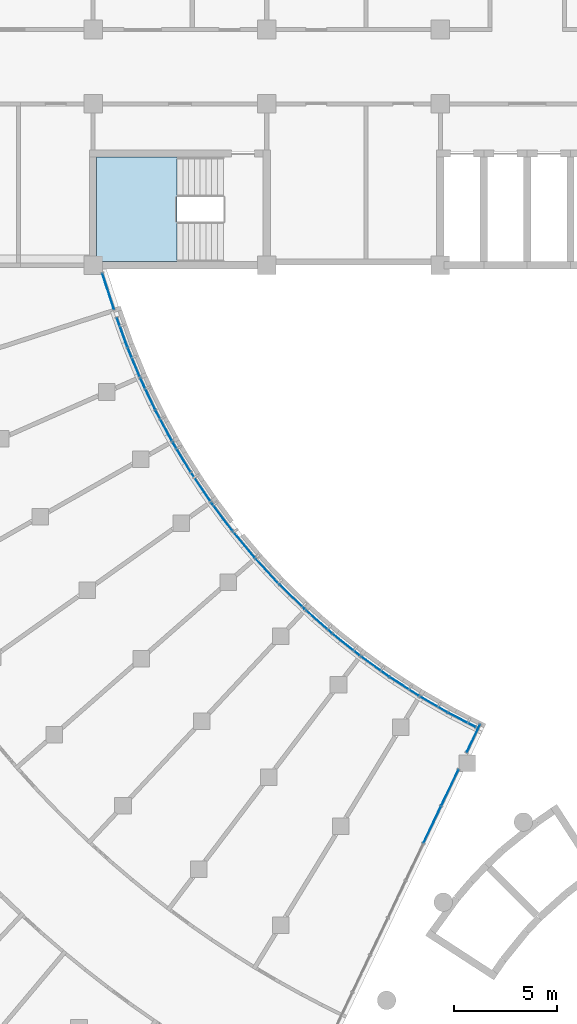
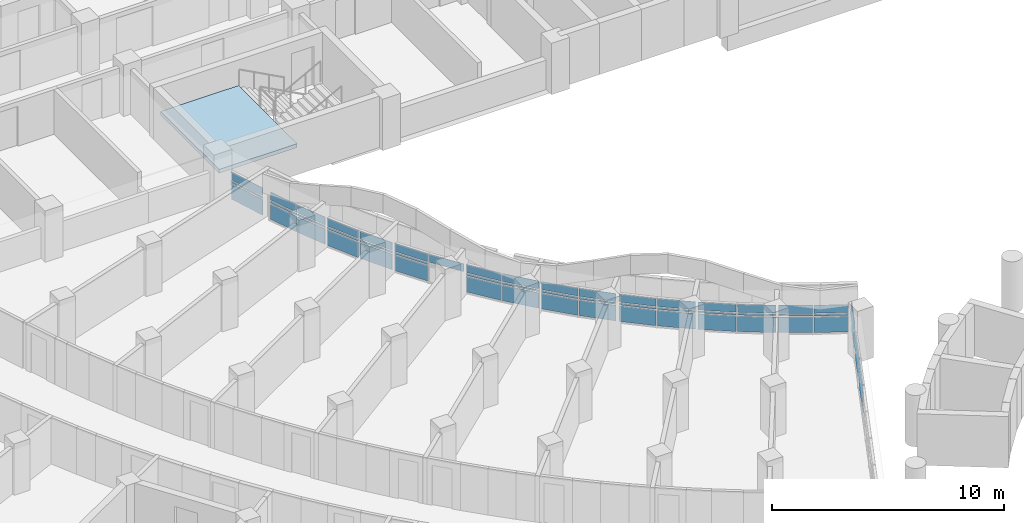
# One storey, part 31 of 89: 58 plates, 1 slab, 12 elements without a shape of their own.
"""IFC4 building model written with IfcOpenShell, lengths in metres."""

from ifc_helpers import new_model, si_unit, direction, frame, origin, origin_2d, place, context, subcontext, project, spatial, polyline, rectangle, outline, extrude, material, layer, layer_set, type_object, element, aggregate, save


model = new_model("IFC4")

# Units and contexts
model_context = context("Model", 3, precision=1e-05, world=origin(), true_north=direction((0.0, 1.0)))
body_context = subcontext(model_context, "Body", "Model", "MODEL_VIEW")
ifc_project = project(units=[si_unit("LENGTHUNIT", "METRE"), si_unit("AREAUNIT", "SQUARE_METRE"), si_unit("VOLUMEUNIT", "CUBIC_METRE"), si_unit("PLANEANGLEUNIT", "RADIAN"), si_unit("MASSUNIT", "GRAM", prefix="KILO")], contexts=[model_context])

# Site, building, storey
site_placement = place(None, origin())
site = spatial("IfcSite", under=ifc_project, at=site_placement, CompositionType="ELEMENT")
building_placement = place(site_placement, origin())
building = spatial("IfcBuilding", under=site, at=building_placement, Name="Bougainvillea Quay General Hospital", CompositionType="ELEMENT")
storey_placement = place(building_placement, frame((0.0, 0.0, 9.89990234375)))
storey = spatial("IfcBuildingStorey", under=building, at=storey_placement, Name="L01M", CompositionType="ELEMENT", Elevation=9.89990234375)

# Curtain wall, plates
ifc_material_1 = material(Name="Aluminium curtain wall system, powder-coated glazed", Category="aluminium")
curtain_wall_type_1 = type_object("IfcCurtainWallType", Name="Unitised curtain wall CW-1997", PredefinedType="NOTDEFINED", material=ifc_material_1)
curtain_wall_1_placement = place(storey_placement, origin())
curtain_wall_1 = element("IfcCurtainWall", 1, at=curtain_wall_1_placement, inside=storey, type_object=curtain_wall_type_1, Name="CW-AE 02", PredefinedType="NOTDEFINED")
ifc_material_2 = material(Name="Insulated aluminium spandrel panel, white", Category="aluminium")
ifc_layer_1 = layer(ifc_material_2, 0.028076171875)
ifc_layer_set_1 = layer_set([ifc_layer_1], Name="Insulated aluminium spandrel panel, white")
plate_type_1 = type_object("IfcPlateType", Name="Insulated spandrel panel white 28", PredefinedType="CURTAIN_PANEL", material=ifc_layer_set_1)
plate_1_placement = place(storey_placement, frame((92.006591796875, 90.533203125, 0.06005859375), z_axis=(0.0, 0.0, 1.0), x_axis=(0.430525444112, 0.902578440897, 0.0)))
plate_1 = element("IfcPlate", 2, at=plate_1_placement, type_object=plate_type_1, Name="CW-AE spandrel panel 9.1", PredefinedType="CURTAIN_PANEL", context=body_context, shape_type="SweptSolid", body=[
    extrude(rectangle(XDim=1.93603515625, YDim=0.028076171875, at=origin_2d()), origin(), (0.0, 0.0, 1.0), 0.81005859375),
])
plate_2_placement = place(storey_placement, frame((92.006591796875, 90.533203125, 1.080078125), z_axis=(0.0, 0.0, 1.0), x_axis=(0.430525444112, 0.902578440897, 0.0)))
plate_2 = element("IfcPlate", 3, at=plate_2_placement, type_object=plate_type_1, Name="CW-AE spandrel panel 9.3", PredefinedType="CURTAIN_PANEL", context=body_context, shape_type="SweptSolid", body=[
    extrude(rectangle(XDim=1.93603515625, YDim=0.028076171875, at=origin_2d()), origin(), (0.0, 0.0, 1.0), 0.409912109375),
])
plate_3_placement = place(storey_placement, frame((92.859375, 92.3212890625, 0.06005859375), z_axis=(0.0, 0.0, 1.0), x_axis=(0.430525444112, 0.902578440897, 0.0)))
plate_3 = element("IfcPlate", 4, at=plate_3_placement, type_object=plate_type_1, Name="CW-AE spandrel panel 10.1", PredefinedType="CURTAIN_PANEL", context=body_context, shape_type="SweptSolid", body=[
    extrude(rectangle(XDim=1.906005859375, YDim=0.028076171875, at=origin_2d()), origin(), (0.0, 0.0, 1.0), 0.81005859375),
])
plate_4_placement = place(storey_placement, frame((92.859375, 92.3212890625, 1.080078125), z_axis=(0.0, 0.0, 1.0), x_axis=(0.430525444112, 0.902578440897, 0.0)))
plate_4 = element("IfcPlate", 5, at=plate_4_placement, type_object=plate_type_1, Name="CW-AE spandrel panel 10.3", PredefinedType="CURTAIN_PANEL", context=body_context, shape_type="SweptSolid", body=[
    extrude(rectangle(XDim=1.906005859375, YDim=0.028076171875, at=origin_2d()), origin(), (0.0, 0.0, 1.0), 0.409912109375),
])

curtain_wall_type_2 = type_object("IfcCurtainWallType", Name="Unitised curtain wall CW-1580", PredefinedType="NOTDEFINED", material=ifc_material_1)
curtain_wall_2_placement = place(storey_placement, origin())
curtain_wall_2 = element("IfcCurtainWall", 6, at=curtain_wall_2_placement, inside=storey, type_object=curtain_wall_type_2, Name="CW-AE 03", PredefinedType="NOTDEFINED")
plate_5_placement = place(storey_placement, frame((93.997314453125, 94.706787109375, 0.06005859375), z_axis=(0.0, 0.0, 1.0), x_axis=(0.430525444112, 0.902578440897, 0.0)))
plate_5 = element("IfcPlate", 7, at=plate_5_placement, type_object=plate_type_1, Name="CW-AE spandrel panel 1.1", PredefinedType="CURTAIN_PANEL", context=body_context, shape_type="SweptSolid", body=[
    extrude(rectangle(XDim=1.459716796875, YDim=0.028076171875, at=origin_2d()), origin(), (0.0, 0.0, 1.0), 0.81005859375),
])
plate_6_placement = place(storey_placement, frame((93.997314453125, 94.706787109375, 1.080078125), z_axis=(0.0, 0.0, 1.0), x_axis=(0.430525444112, 0.902578440897, 0.0)))
plate_6 = element("IfcPlate", 8, at=plate_6_placement, type_object=plate_type_1, Name="CW-AE spandrel panel 1.3", PredefinedType="CURTAIN_PANEL", context=body_context, shape_type="SweptSolid", body=[
    extrude(rectangle(XDim=1.459716796875, YDim=0.028076171875, at=origin_2d()), origin(), (0.0, 0.0, 1.0), 0.409912109375),
])

curtain_wall_type_3 = type_object("IfcCurtainWallType", Name="Unitised curtain wall CW-2100", PredefinedType="NOTDEFINED", material=ifc_material_1)
curtain_wall_3_placement = place(storey_placement, origin())
curtain_wall_3 = element("IfcCurtainWall", 9, at=curtain_wall_3_placement, inside=storey, type_object=curtain_wall_type_3, Name="CW-W01 a03b0", PredefinedType="NOTDEFINED")
plate_7_placement = place(storey_placement, frame((93.4384765625, 95.602294921875, 0.06005859375), z_axis=(0.0, 0.0, 1.0), x_axis=(-0.887958036873, 0.459924477228, 0.0)))
plate_7 = element("IfcPlate", 10, at=plate_7_placement, type_object=plate_type_1, Name="CW-W01 spandrel panel 1.1", PredefinedType="CURTAIN_PANEL", context=body_context, shape_type="SweptSolid", body=[
    extrude(rectangle(XDim=1.475830078125, YDim=0.028076171875, at=origin_2d()), origin(), (0.0, 0.0, 1.0), 0.81005859375),
])
plate_8_placement = place(storey_placement, frame((93.4384765625, 95.602294921875, 1.080078125), z_axis=(0.0, 0.0, 1.0), x_axis=(-0.887958036873, 0.459924477228, 0.0)))
plate_8 = element("IfcPlate", 11, at=plate_8_placement, type_object=plate_type_1, Name="CW-W01 spandrel panel 1.3", PredefinedType="CURTAIN_PANEL", context=body_context, shape_type="SweptSolid", body=[
    extrude(rectangle(XDim=1.475830078125, YDim=0.028076171875, at=origin_2d()), origin(), (0.0, 0.0, 1.0), 0.409912109375),
])
plate_9_placement = place(storey_placement, frame((92.09130859375, 96.339599609375, 0.06005859375), z_axis=(0.0, 0.0, 1.0), x_axis=(-0.866007268476, 0.50003140996, 0.0)))
plate_9 = element("IfcPlate", 12, at=plate_9_placement, type_object=plate_type_1, Name="CW-W01 spandrel panel 2.1", PredefinedType="CURTAIN_PANEL", context=body_context, shape_type="SweptSolid", body=[
    extrude(rectangle(XDim=1.475830078125, YDim=0.028076171875, at=origin_2d()), origin(), (0.0, 0.0, 1.0), 0.81005859375),
])
plate_10_placement = place(storey_placement, frame((92.09130859375, 96.339599609375, 1.080078125), z_axis=(0.0, 0.0, 1.0), x_axis=(-0.866007268476, 0.50003140996, 0.0)))
plate_10 = element("IfcPlate", 13, at=plate_10_placement, type_object=plate_type_1, Name="CW-W01 spandrel panel 2.3", PredefinedType="CURTAIN_PANEL", context=body_context, shape_type="SweptSolid", body=[
    extrude(rectangle(XDim=1.475830078125, YDim=0.028076171875, at=origin_2d()), origin(), (0.0, 0.0, 1.0), 0.409912109375),
])

curtain_wall_4_placement = place(storey_placement, origin())
curtain_wall_4 = element("IfcCurtainWall", 14, at=curtain_wall_4_placement, inside=storey, type_object=curtain_wall_type_3, Name="CW-W02 a03b1", PredefinedType="NOTDEFINED")
plate_11_placement = place(storey_placement, frame((90.657470703125, 97.216796875, 0.06005859375), z_axis=(0.0, 0.0, 1.0), x_axis=(-0.840897357359, 0.541194636325, 0.0)))
plate_11 = element("IfcPlate", 15, at=plate_11_placement, type_object=plate_type_1, Name="CW-W02 spandrel panel 1.1", PredefinedType="CURTAIN_PANEL", context=body_context, shape_type="SweptSolid", body=[
    extrude(rectangle(XDim=1.64697265625, YDim=0.028076171875, at=origin_2d()), origin(), (0.0, 0.0, 1.0), 0.81005859375),
])
plate_12_placement = place(storey_placement, frame((90.657470703125, 97.216796875, 1.080078125), z_axis=(0.0, 0.0, 1.0), x_axis=(-0.840897357359, 0.541194636325, 0.0)))
plate_12 = element("IfcPlate", 16, at=plate_12_placement, type_object=plate_type_1, Name="CW-W02 spandrel panel 1.3", PredefinedType="CURTAIN_PANEL", context=body_context, shape_type="SweptSolid", body=[
    extrude(rectangle(XDim=1.64697265625, YDim=0.028076171875, at=origin_2d()), origin(), (0.0, 0.0, 1.0), 0.409912109375),
])
plate_13_placement = place(storey_placement, frame((89.246337890625, 98.17626953125, 0.06005859375), z_axis=(0.0, 0.0, 1.0), x_axis=(-0.812378779606, 0.583130104218, 0.0)))
plate_13 = element("IfcPlate", 17, at=plate_13_placement, type_object=plate_type_1, Name="CW-W02 spandrel panel 2.1", PredefinedType="CURTAIN_PANEL", context=body_context, shape_type="SweptSolid", body=[
    extrude(rectangle(XDim=1.64697265625, YDim=0.028076171875, at=origin_2d()), origin(), (0.0, 0.0, 1.0), 0.81005859375),
])
plate_14_placement = place(storey_placement, frame((89.246337890625, 98.17626953125, 1.080078125), z_axis=(0.0, 0.0, 1.0), x_axis=(-0.812378779606, 0.583130104218, 0.0)))
plate_14 = element("IfcPlate", 18, at=plate_14_placement, type_object=plate_type_1, Name="CW-W02 spandrel panel 2.3", PredefinedType="CURTAIN_PANEL", context=body_context, shape_type="SweptSolid", body=[
    extrude(rectangle(XDim=1.64697265625, YDim=0.028076171875, at=origin_2d()), origin(), (0.0, 0.0, 1.0), 0.409912109375),
])

curtain_wall_5_placement = place(storey_placement, origin())
curtain_wall_5 = element("IfcCurtainWall", 19, at=curtain_wall_5_placement, inside=storey, type_object=curtain_wall_type_3, Name="CW-W03 a03b2", PredefinedType="NOTDEFINED")
plate_15_placement = place(storey_placement, frame((87.838134765625, 99.242431640625, 0.06005859375), z_axis=(0.0, 0.0, 1.0), x_axis=(-0.781770850765, 0.623565824026, 0.0)))
plate_15 = element("IfcPlate", 20, at=plate_15_placement, type_object=plate_type_1, Name="CW-W03 spandrel panel 1.1", PredefinedType="CURTAIN_PANEL", context=body_context, shape_type="SweptSolid", body=[
    extrude(rectangle(XDim=1.64697265625, YDim=0.028076171875, at=origin_2d()), origin(), (0.0, 0.0, 1.0), 0.81005859375),
])
plate_16_placement = place(storey_placement, frame((87.838134765625, 99.242431640625, 1.080078125), z_axis=(0.0, 0.0, 1.0), x_axis=(-0.781770850765, 0.623565824026, 0.0)))
plate_16 = element("IfcPlate", 21, at=plate_16_placement, type_object=plate_type_1, Name="CW-W03 spandrel panel 1.3", PredefinedType="CURTAIN_PANEL", context=body_context, shape_type="SweptSolid", body=[
    extrude(rectangle(XDim=1.64697265625, YDim=0.028076171875, at=origin_2d()), origin(), (0.0, 0.0, 1.0), 0.409912109375),
])
plate_17_placement = place(storey_placement, frame((86.531494140625, 100.33984375, 0.06005859375), z_axis=(0.0, 0.0, 1.0), x_axis=(-0.749152291145, 0.662397799417, 0.0)))
plate_17 = element("IfcPlate", 22, at=plate_17_placement, type_object=plate_type_1, Name="CW-W03 spandrel panel 2.1", PredefinedType="CURTAIN_PANEL", context=body_context, shape_type="SweptSolid", body=[
    extrude(rectangle(XDim=1.64697265625, YDim=0.028076171875, at=origin_2d()), origin(), (0.0, 0.0, 1.0), 0.81005859375),
])
plate_18_placement = place(storey_placement, frame((86.531494140625, 100.33984375, 1.080078125), z_axis=(0.0, 0.0, 1.0), x_axis=(-0.749152291145, 0.662397799417, 0.0)))
plate_18 = element("IfcPlate", 23, at=plate_18_placement, type_object=plate_type_1, Name="CW-W03 spandrel panel 2.3", PredefinedType="CURTAIN_PANEL", context=body_context, shape_type="SweptSolid", body=[
    extrude(rectangle(XDim=1.64697265625, YDim=0.028076171875, at=origin_2d()), origin(), (0.0, 0.0, 1.0), 0.409912109375),
])

curtain_wall_6_placement = place(storey_placement, origin())
curtain_wall_6 = element("IfcCurtainWall", 24, at=curtain_wall_6_placement, inside=storey, type_object=curtain_wall_type_3, Name="CW-W04 a03b3", PredefinedType="NOTDEFINED")
plate_19_placement = place(storey_placement, frame((85.23828125, 101.543212890625, 0.06005859375), z_axis=(0.0, 0.0, 1.0), x_axis=(-0.714606992183, 0.699526158712, 0.0)))
plate_19 = element("IfcPlate", 25, at=plate_19_placement, type_object=plate_type_1, Name="CW-W04 spandrel panel 1.1", PredefinedType="CURTAIN_PANEL", context=body_context, shape_type="SweptSolid", body=[
    extrude(rectangle(XDim=1.64697265625, YDim=0.028076171875, at=origin_2d()), origin(), (0.0, 0.0, 1.0), 0.81005859375),
])
plate_20_placement = place(storey_placement, frame((85.23828125, 101.543212890625, 1.080078125), z_axis=(0.0, 0.0, 1.0), x_axis=(-0.714606992183, 0.699526158712, 0.0)))
plate_20 = element("IfcPlate", 26, at=plate_20_placement, type_object=plate_type_1, Name="CW-W04 spandrel panel 1.3", PredefinedType="CURTAIN_PANEL", context=body_context, shape_type="SweptSolid", body=[
    extrude(rectangle(XDim=1.64697265625, YDim=0.028076171875, at=origin_2d()), origin(), (0.0, 0.0, 1.0), 0.409912109375),
])
plate_21_placement = place(storey_placement, frame((84.049560546875, 102.767333984375, 0.06005859375), z_axis=(0.0, 0.0, 1.0), x_axis=(-0.678223800683, 0.734855411756, 0.0)))
plate_21 = element("IfcPlate", 27, at=plate_21_placement, type_object=plate_type_1, Name="CW-W04 spandrel panel 2.1", PredefinedType="CURTAIN_PANEL", context=body_context, shape_type="SweptSolid", body=[
    extrude(rectangle(XDim=1.64697265625, YDim=0.028076171875, at=origin_2d()), origin(), (0.0, 0.0, 1.0), 0.81005859375),
])
plate_22_placement = place(storey_placement, frame((84.049560546875, 102.767333984375, 1.080078125), z_axis=(0.0, 0.0, 1.0), x_axis=(-0.678223800683, 0.734855411756, 0.0)))
plate_22 = element("IfcPlate", 28, at=plate_22_placement, type_object=plate_type_1, Name="CW-W04 spandrel panel 2.3", PredefinedType="CURTAIN_PANEL", context=body_context, shape_type="SweptSolid", body=[
    extrude(rectangle(XDim=1.64697265625, YDim=0.028076171875, at=origin_2d()), origin(), (0.0, 0.0, 1.0), 0.409912109375),
])

curtain_wall_7_placement = place(storey_placement, origin())
curtain_wall_7 = element("IfcCurtainWall", 29, at=curtain_wall_7_placement, inside=storey, type_object=curtain_wall_type_3, Name="CW-W05 a03b4", PredefinedType="NOTDEFINED")
plate_23_placement = place(storey_placement, frame((82.884765625, 104.09521484375, 0.06005859375), z_axis=(0.0, 0.0, 1.0), x_axis=(-0.64009629031, 0.768294695498, 0.0)))
plate_23 = element("IfcPlate", 30, at=plate_23_placement, type_object=plate_type_1, Name="CW-W05 spandrel panel 1.1", PredefinedType="CURTAIN_PANEL", context=body_context, shape_type="SweptSolid", body=[
    extrude(rectangle(XDim=1.64697265625, YDim=0.028076171875, at=origin_2d()), origin(), (0.0, 0.0, 1.0), 0.81005859375),
])
plate_24_placement = place(storey_placement, frame((82.884765625, 104.09521484375, 1.080078125), z_axis=(0.0, 0.0, 1.0), x_axis=(-0.64009629031, 0.768294695498, 0.0)))
plate_24 = element("IfcPlate", 31, at=plate_24_placement, type_object=plate_type_1, Name="CW-W05 spandrel panel 1.3", PredefinedType="CURTAIN_PANEL", context=body_context, shape_type="SweptSolid", body=[
    extrude(rectangle(XDim=1.64697265625, YDim=0.028076171875, at=origin_2d()), origin(), (0.0, 0.0, 1.0), 0.409912109375),
])
plate_25_placement = place(storey_placement, frame((81.826171875, 105.43359375, 0.06005859375), z_axis=(0.0, 0.0, 1.0), x_axis=(-0.600322520933, 0.799758007688, 0.0)))
plate_25 = element("IfcPlate", 32, at=plate_25_placement, type_object=plate_type_1, Name="CW-W05 spandrel panel 2.1", PredefinedType="CURTAIN_PANEL", context=body_context, shape_type="SweptSolid", body=[
    extrude(rectangle(XDim=1.64697265625, YDim=0.028076171875, at=origin_2d()), origin(), (0.0, 0.0, 1.0), 0.81005859375),
])
plate_26_placement = place(storey_placement, frame((81.826171875, 105.43359375, 1.080078125), z_axis=(0.0, 0.0, 1.0), x_axis=(-0.600322520933, 0.799758007688, 0.0)))
plate_26 = element("IfcPlate", 33, at=plate_26_placement, type_object=plate_type_1, Name="CW-W05 spandrel panel 2.3", PredefinedType="CURTAIN_PANEL", context=body_context, shape_type="SweptSolid", body=[
    extrude(rectangle(XDim=1.64697265625, YDim=0.028076171875, at=origin_2d()), origin(), (0.0, 0.0, 1.0), 0.409912109375),
])

curtain_wall_8_placement = place(storey_placement, origin())
curtain_wall_8 = element("IfcCurtainWall", 34, at=curtain_wall_8_placement, inside=storey, type_object=curtain_wall_type_3, Name="CW-W06 a03b5", PredefinedType="NOTDEFINED")
plate_27_placement = place(storey_placement, frame((80.802001953125, 106.872802734375, 1.080078125), z_axis=(0.0, 0.0, 1.0), x_axis=(-0.55900478642, 0.82916442806, 0.0)))
plate_27 = element("IfcPlate", 35, at=plate_27_placement, type_object=plate_type_1, Name="CW-W06 spandrel panel 1.3", PredefinedType="CURTAIN_PANEL", context=body_context, shape_type="SweptSolid", body=[
    extrude(rectangle(XDim=1.64697265625, YDim=0.028076171875, at=origin_2d()), origin(), (0.0, 0.0, 1.0), 0.409912109375),
])
plate_28_placement = place(storey_placement, frame((79.88427734375, 108.311279296875, 0.06005859375), z_axis=(0.0, 0.0, 1.0), x_axis=(-0.516249351553, 0.856438326455, 0.0)))
plate_28 = element("IfcPlate", 36, at=plate_28_placement, type_object=plate_type_1, Name="CW-W06 spandrel panel 2.1", PredefinedType="CURTAIN_PANEL", context=body_context, shape_type="SweptSolid", body=[
    extrude(rectangle(XDim=1.64697265625, YDim=0.028076171875, at=origin_2d()), origin(), (0.0, 0.0, 1.0), 0.81005859375),
])
plate_29_placement = place(storey_placement, frame((79.88427734375, 108.311279296875, 1.080078125), z_axis=(0.0, 0.0, 1.0), x_axis=(-0.516249351553, 0.856438326455, 0.0)))
plate_29 = element("IfcPlate", 37, at=plate_29_placement, type_object=plate_type_1, Name="CW-W06 spandrel panel 2.3", PredefinedType="CURTAIN_PANEL", context=body_context, shape_type="SweptSolid", body=[
    extrude(rectangle(XDim=1.64697265625, YDim=0.028076171875, at=origin_2d()), origin(), (0.0, 0.0, 1.0), 0.409912109375),
])

curtain_wall_9_placement = place(storey_placement, origin())
curtain_wall_9 = element("IfcCurtainWall", 38, at=curtain_wall_9_placement, inside=storey, type_object=curtain_wall_type_3, Name="CW-W07 a03b6", PredefinedType="NOTDEFINED")
plate_30_placement = place(storey_placement, frame((79.010986328125, 109.8466796875, 0.06005859375), z_axis=(0.0, 0.0, 1.0), x_axis=(-0.472166178724, 0.881509557333, 0.0)))
plate_30 = element("IfcPlate", 39, at=plate_30_placement, type_object=plate_type_1, Name="CW-W07 spandrel panel 1.1", PredefinedType="CURTAIN_PANEL", context=body_context, shape_type="SweptSolid", body=[
    extrude(rectangle(XDim=1.64697265625, YDim=0.028076171875, at=origin_2d()), origin(), (0.0, 0.0, 1.0), 0.81005859375),
])
plate_31_placement = place(storey_placement, frame((79.010986328125, 109.8466796875, 1.080078125), z_axis=(0.0, 0.0, 1.0), x_axis=(-0.472166178724, 0.881509557333, 0.0)))
plate_31 = element("IfcPlate", 40, at=plate_31_placement, type_object=plate_type_1, Name="CW-W07 spandrel panel 1.3", PredefinedType="CURTAIN_PANEL", context=body_context, shape_type="SweptSolid", body=[
    extrude(rectangle(XDim=1.64697265625, YDim=0.028076171875, at=origin_2d()), origin(), (0.0, 0.0, 1.0), 0.409912109375),
])
plate_32_placement = place(storey_placement, frame((78.24365234375, 111.370849609375, 0.06005859375), z_axis=(0.0, 0.0, 1.0), x_axis=(-0.426868645126, 0.904313640176, 0.0)))
plate_32 = element("IfcPlate", 41, at=plate_32_placement, type_object=plate_type_1, Name="CW-W07 spandrel panel 2.1", PredefinedType="CURTAIN_PANEL", context=body_context, shape_type="SweptSolid", body=[
    extrude(rectangle(XDim=1.64697265625, YDim=0.028076171875, at=origin_2d()), origin(), (0.0, 0.0, 1.0), 0.81005859375),
])
plate_33_placement = place(storey_placement, frame((78.24365234375, 111.370849609375, 1.080078125), z_axis=(0.0, 0.0, 1.0), x_axis=(-0.426868645126, 0.904313640176, 0.0)))
plate_33 = element("IfcPlate", 42, at=plate_33_placement, type_object=plate_type_1, Name="CW-W07 spandrel panel 2.3", PredefinedType="CURTAIN_PANEL", context=body_context, shape_type="SweptSolid", body=[
    extrude(rectangle(XDim=1.64697265625, YDim=0.028076171875, at=origin_2d()), origin(), (0.0, 0.0, 1.0), 0.409912109375),
])

curtain_wall_10_placement = place(storey_placement, origin())
curtain_wall_10 = element("IfcCurtainWall", 43, at=curtain_wall_10_placement, inside=storey, type_object=curtain_wall_type_3, Name="CW-W08 a03b7", PredefinedType="NOTDEFINED")
plate_34_placement = place(storey_placement, frame((77.56103515625, 112.907470703125, 0.06005859375), z_axis=(0.0, 0.0, 1.0), x_axis=(-0.382770483282, 0.923843470036, 0.0)))
plate_34 = element("IfcPlate", 44, at=plate_34_placement, type_object=plate_type_1, Name="CW-W08 spandrel panel 1.1", PredefinedType="CURTAIN_PANEL", context=body_context, shape_type="SweptSolid", body=[
    extrude(rectangle(XDim=1.476806640625, YDim=0.028076171875, at=origin_2d()), origin(), (0.0, 0.0, 1.0), 0.81005859375),
])
plate_35_placement = place(storey_placement, frame((77.56103515625, 112.907470703125, 1.080078125), z_axis=(0.0, 0.0, 1.0), x_axis=(-0.382770483282, 0.923843470036, 0.0)))
plate_35 = element("IfcPlate", 45, at=plate_35_placement, type_object=plate_type_1, Name="CW-W08 spandrel panel 1.3", PredefinedType="CURTAIN_PANEL", context=body_context, shape_type="SweptSolid", body=[
    extrude(rectangle(XDim=1.476806640625, YDim=0.028076171875, at=origin_2d()), origin(), (0.0, 0.0, 1.0), 0.409912109375),
])
plate_36_placement = place(storey_placement, frame((77.005615234375, 114.33984375, 0.06005859375), z_axis=(0.0, 0.0, 1.0), x_axis=(-0.340120177444, 0.940381978185, 0.0)))
plate_36 = element("IfcPlate", 46, at=plate_36_placement, type_object=plate_type_1, Name="CW-W08 spandrel panel 2.1", PredefinedType="CURTAIN_PANEL", context=body_context, shape_type="SweptSolid", body=[
    extrude(rectangle(XDim=1.476806640625, YDim=0.028076171875, at=origin_2d()), origin(), (0.0, 0.0, 1.0), 0.81005859375),
])
plate_37_placement = place(storey_placement, frame((77.005615234375, 114.33984375, 1.080078125), z_axis=(0.0, 0.0, 1.0), x_axis=(-0.340120177444, 0.940381978185, 0.0)))
plate_37 = element("IfcPlate", 47, at=plate_37_placement, type_object=plate_type_1, Name="CW-W08 spandrel panel 2.3", PredefinedType="CURTAIN_PANEL", context=body_context, shape_type="SweptSolid", body=[
    extrude(rectangle(XDim=1.476806640625, YDim=0.028076171875, at=origin_2d()), origin(), (0.0, 0.0, 1.0), 0.409912109375),
])

curtain_wall_type_4 = type_object("IfcCurtainWallType", Name="Unitised curtain wall CW-1925", PredefinedType="NOTDEFINED", material=ifc_material_1)
curtain_wall_11_placement = place(storey_placement, origin())
curtain_wall_11 = element("IfcCurtainWall", 48, at=curtain_wall_11_placement, inside=storey, type_object=curtain_wall_type_4, Name="CW-AE 00", PredefinedType="NOTDEFINED")
plate_38_placement = place(storey_placement, frame((76.328857421875, 116.330810546875, 0.06005859375), z_axis=(0.0, 0.0, 1.0), x_axis=(-0.308970506674, 0.951071619809, 0.0)))
plate_38 = element("IfcPlate", 49, at=plate_38_placement, type_object=plate_type_1, Name="CW-AE spandrel panel 1.1", PredefinedType="CURTAIN_PANEL", context=body_context, shape_type="SweptSolid", body=[
    extrude(rectangle(XDim=1.804443359375, YDim=0.028076171875, at=origin_2d()), origin(), (0.0, 0.0, 1.0), 0.81005859375),
])
plate_39_placement = place(storey_placement, frame((76.328857421875, 116.330810546875, 1.080078125), z_axis=(0.0, 0.0, 1.0), x_axis=(-0.308970506674, 0.951071619809, 0.0)))
plate_39 = element("IfcPlate", 50, at=plate_39_placement, type_object=plate_type_1, Name="CW-AE spandrel panel 1.3", PredefinedType="CURTAIN_PANEL", context=body_context, shape_type="SweptSolid", body=[
    extrude(rectangle(XDim=1.804443359375, YDim=0.028076171875, at=origin_2d()), origin(), (0.0, 0.0, 1.0), 0.409912109375),
])

# Plate
ifc_material_3 = material(Name="Low-e laminated glass, solar control", Category="glass")
ifc_layer_2 = layer(ifc_material_3, 0.028076171875)
ifc_layer_set_2 = layer_set([ifc_layer_2], Name="Low-e laminated glass, solar control")
plate_type_2 = type_object("IfcPlateType", Name="Low-e laminated vision glass 28", PredefinedType="CURTAIN_PANEL", material=ifc_layer_set_2)
plate_40_placement = place(storey_placement, frame((92.006591796875, 90.533203125, 0.93017578125), z_axis=(0.0, 0.0, 1.0), x_axis=(0.430525444112, 0.902578440897, 0.0)))
plate_40 = element("IfcPlate", 51, at=plate_40_placement, type_object=plate_type_2, Name="CW-AE vision glass panel 9.2", PredefinedType="CURTAIN_PANEL", context=body_context, shape_type="SweptSolid", body=[
    extrude(rectangle(XDim=1.93603515625, YDim=0.028076171875, at=origin_2d()), origin(), (0.0, 0.0, 1.0), 0.090087890625),
])

plate_41_placement = place(storey_placement, frame((92.859375, 92.3212890625, 0.93017578125), z_axis=(0.0, 0.0, 1.0), x_axis=(0.430525444112, 0.902578440897, 0.0)))
plate_41 = element("IfcPlate", 52, at=plate_41_placement, type_object=plate_type_2, Name="CW-AE vision glass panel 10.2", PredefinedType="CURTAIN_PANEL", context=body_context, shape_type="SweptSolid", body=[
    extrude(rectangle(XDim=1.906005859375, YDim=0.028076171875, at=origin_2d()), origin(), (0.0, 0.0, 1.0), 0.090087890625),
])

aggregate(curtain_wall_1, [plate_1, plate_40, plate_2, plate_3, plate_41, plate_4])

plate_42_placement = place(storey_placement, frame((93.997314453125, 94.706787109375, 0.93017578125), z_axis=(0.0, 0.0, 1.0), x_axis=(0.430525444112, 0.902578440897, 0.0)))
plate_42 = element("IfcPlate", 53, at=plate_42_placement, type_object=plate_type_2, Name="CW-AE vision glass panel 1.2", PredefinedType="CURTAIN_PANEL", context=body_context, shape_type="SweptSolid", body=[
    extrude(rectangle(XDim=1.459716796875, YDim=0.028076171875, at=origin_2d()), origin(), (0.0, 0.0, 1.0), 0.090087890625),
])

aggregate(curtain_wall_2, [plate_5, plate_42, plate_6])

plate_43_placement = place(storey_placement, frame((93.4384765625, 95.602294921875, 0.93017578125), z_axis=(0.0, 0.0, 1.0), x_axis=(-0.887958036873, 0.459924477228, 0.0)))
plate_43 = element("IfcPlate", 54, at=plate_43_placement, type_object=plate_type_2, Name="CW-W01 vision glass panel 1.2", PredefinedType="CURTAIN_PANEL", context=body_context, shape_type="SweptSolid", body=[
    extrude(rectangle(XDim=1.475830078125, YDim=0.028076171875, at=origin_2d()), origin(), (0.0, 0.0, 1.0), 0.090087890625),
])

plate_44_placement = place(storey_placement, frame((92.09130859375, 96.339599609375, 0.93017578125), z_axis=(0.0, 0.0, 1.0), x_axis=(-0.866007268476, 0.50003140996, 0.0)))
plate_44 = element("IfcPlate", 55, at=plate_44_placement, type_object=plate_type_2, Name="CW-W01 vision glass panel 2.2", PredefinedType="CURTAIN_PANEL", context=body_context, shape_type="SweptSolid", body=[
    extrude(rectangle(XDim=1.475830078125, YDim=0.028076171875, at=origin_2d()), origin(), (0.0, 0.0, 1.0), 0.090087890625),
])

aggregate(curtain_wall_3, [plate_7, plate_43, plate_8, plate_9, plate_44, plate_10])

plate_45_placement = place(storey_placement, frame((90.657470703125, 97.216796875, 0.93017578125), z_axis=(0.0, 0.0, 1.0), x_axis=(-0.840897357359, 0.541194636325, 0.0)))
plate_45 = element("IfcPlate", 56, at=plate_45_placement, type_object=plate_type_2, Name="CW-W02 vision glass panel 1.2", PredefinedType="CURTAIN_PANEL", context=body_context, shape_type="SweptSolid", body=[
    extrude(rectangle(XDim=1.64697265625, YDim=0.028076171875, at=origin_2d()), origin(), (0.0, 0.0, 1.0), 0.090087890625),
])

plate_46_placement = place(storey_placement, frame((89.246337890625, 98.17626953125, 0.93017578125), z_axis=(0.0, 0.0, 1.0), x_axis=(-0.812378779606, 0.583130104218, 0.0)))
plate_46 = element("IfcPlate", 57, at=plate_46_placement, type_object=plate_type_2, Name="CW-W02 vision glass panel 2.2", PredefinedType="CURTAIN_PANEL", context=body_context, shape_type="SweptSolid", body=[
    extrude(rectangle(XDim=1.64697265625, YDim=0.028076171875, at=origin_2d()), origin(), (0.0, 0.0, 1.0), 0.090087890625),
])

aggregate(curtain_wall_4, [plate_11, plate_45, plate_12, plate_13, plate_46, plate_14])

plate_47_placement = place(storey_placement, frame((87.838134765625, 99.242431640625, 0.93017578125), z_axis=(0.0, 0.0, 1.0), x_axis=(-0.781770850765, 0.623565824026, 0.0)))
plate_47 = element("IfcPlate", 58, at=plate_47_placement, type_object=plate_type_2, Name="CW-W03 vision glass panel 1.2", PredefinedType="CURTAIN_PANEL", context=body_context, shape_type="SweptSolid", body=[
    extrude(rectangle(XDim=1.64697265625, YDim=0.028076171875, at=origin_2d()), origin(), (0.0, 0.0, 1.0), 0.090087890625),
])

plate_48_placement = place(storey_placement, frame((86.531494140625, 100.33984375, 0.93017578125), z_axis=(0.0, 0.0, 1.0), x_axis=(-0.749152291145, 0.662397799417, 0.0)))
plate_48 = element("IfcPlate", 59, at=plate_48_placement, type_object=plate_type_2, Name="CW-W03 vision glass panel 2.2", PredefinedType="CURTAIN_PANEL", context=body_context, shape_type="SweptSolid", body=[
    extrude(rectangle(XDim=1.64697265625, YDim=0.028076171875, at=origin_2d()), origin(), (0.0, 0.0, 1.0), 0.090087890625),
])

aggregate(curtain_wall_5, [plate_15, plate_47, plate_16, plate_17, plate_48, plate_18])

plate_49_placement = place(storey_placement, frame((85.23828125, 101.543212890625, 0.93017578125), z_axis=(0.0, 0.0, 1.0), x_axis=(-0.714606992183, 0.699526158712, 0.0)))
plate_49 = element("IfcPlate", 60, at=plate_49_placement, type_object=plate_type_2, Name="CW-W04 vision glass panel 1.2", PredefinedType="CURTAIN_PANEL", context=body_context, shape_type="SweptSolid", body=[
    extrude(rectangle(XDim=1.64697265625, YDim=0.028076171875, at=origin_2d()), origin(), (0.0, 0.0, 1.0), 0.090087890625),
])

plate_50_placement = place(storey_placement, frame((84.049560546875, 102.767333984375, 0.93017578125), z_axis=(0.0, 0.0, 1.0), x_axis=(-0.678223800683, 0.734855411756, 0.0)))
plate_50 = element("IfcPlate", 61, at=plate_50_placement, type_object=plate_type_2, Name="CW-W04 vision glass panel 2.2", PredefinedType="CURTAIN_PANEL", context=body_context, shape_type="SweptSolid", body=[
    extrude(rectangle(XDim=1.64697265625, YDim=0.028076171875, at=origin_2d()), origin(), (0.0, 0.0, 1.0), 0.090087890625),
])

aggregate(curtain_wall_6, [plate_19, plate_49, plate_20, plate_21, plate_50, plate_22])

plate_51_placement = place(storey_placement, frame((82.884765625, 104.09521484375, 0.93017578125), z_axis=(0.0, 0.0, 1.0), x_axis=(-0.64009629031, 0.768294695498, 0.0)))
plate_51 = element("IfcPlate", 62, at=plate_51_placement, type_object=plate_type_2, Name="CW-W05 vision glass panel 1.2", PredefinedType="CURTAIN_PANEL", context=body_context, shape_type="SweptSolid", body=[
    extrude(rectangle(XDim=1.64697265625, YDim=0.028076171875, at=origin_2d()), origin(), (0.0, 0.0, 1.0), 0.090087890625),
])

plate_52_placement = place(storey_placement, frame((81.826171875, 105.43359375, 0.93017578125), z_axis=(0.0, 0.0, 1.0), x_axis=(-0.600322520933, 0.799758007688, 0.0)))
plate_52 = element("IfcPlate", 63, at=plate_52_placement, type_object=plate_type_2, Name="CW-W05 vision glass panel 2.2", PredefinedType="CURTAIN_PANEL", context=body_context, shape_type="SweptSolid", body=[
    extrude(rectangle(XDim=1.64697265625, YDim=0.028076171875, at=origin_2d()), origin(), (0.0, 0.0, 1.0), 0.090087890625),
])

aggregate(curtain_wall_7, [plate_23, plate_51, plate_24, plate_25, plate_52, plate_26])

plate_53_placement = place(storey_placement, frame((79.88427734375, 108.311279296875, 0.93017578125), z_axis=(0.0, 0.0, 1.0), x_axis=(-0.516249351553, 0.856438326455, 0.0)))
plate_53 = element("IfcPlate", 64, at=plate_53_placement, type_object=plate_type_2, Name="CW-W06 vision glass panel 2.2", PredefinedType="CURTAIN_PANEL", context=body_context, shape_type="SweptSolid", body=[
    extrude(rectangle(XDim=1.64697265625, YDim=0.028076171875, at=origin_2d()), origin(), (0.0, 0.0, 1.0), 0.090087890625),
])

aggregate(curtain_wall_8, [plate_27, plate_28, plate_53, plate_29])

plate_54_placement = place(storey_placement, frame((79.010986328125, 109.8466796875, 0.93017578125), z_axis=(0.0, 0.0, 1.0), x_axis=(-0.472166178724, 0.881509557333, 0.0)))
plate_54 = element("IfcPlate", 65, at=plate_54_placement, type_object=plate_type_2, Name="CW-W07 vision glass panel 1.2", PredefinedType="CURTAIN_PANEL", context=body_context, shape_type="SweptSolid", body=[
    extrude(rectangle(XDim=1.64697265625, YDim=0.028076171875, at=origin_2d()), origin(), (0.0, 0.0, 1.0), 0.090087890625),
])

plate_55_placement = place(storey_placement, frame((78.24365234375, 111.370849609375, 0.93017578125), z_axis=(0.0, 0.0, 1.0), x_axis=(-0.426868645126, 0.904313640176, 0.0)))
plate_55 = element("IfcPlate", 66, at=plate_55_placement, type_object=plate_type_2, Name="CW-W07 vision glass panel 2.2", PredefinedType="CURTAIN_PANEL", context=body_context, shape_type="SweptSolid", body=[
    extrude(rectangle(XDim=1.64697265625, YDim=0.028076171875, at=origin_2d()), origin(), (0.0, 0.0, 1.0), 0.090087890625),
])

aggregate(curtain_wall_9, [plate_30, plate_54, plate_31, plate_32, plate_55, plate_33])

plate_56_placement = place(storey_placement, frame((77.56103515625, 112.907470703125, 0.93017578125), z_axis=(0.0, 0.0, 1.0), x_axis=(-0.382770483282, 0.923843470036, 0.0)))
plate_56 = element("IfcPlate", 67, at=plate_56_placement, type_object=plate_type_2, Name="CW-W08 vision glass panel 1.2", PredefinedType="CURTAIN_PANEL", context=body_context, shape_type="SweptSolid", body=[
    extrude(rectangle(XDim=1.476806640625, YDim=0.028076171875, at=origin_2d()), origin(), (0.0, 0.0, 1.0), 0.090087890625),
])

plate_57_placement = place(storey_placement, frame((77.005615234375, 114.33984375, 0.93017578125), z_axis=(0.0, 0.0, 1.0), x_axis=(-0.340120177444, 0.940381978185, 0.0)))
plate_57 = element("IfcPlate", 68, at=plate_57_placement, type_object=plate_type_2, Name="CW-W08 vision glass panel 2.2", PredefinedType="CURTAIN_PANEL", context=body_context, shape_type="SweptSolid", body=[
    extrude(rectangle(XDim=1.476806640625, YDim=0.028076171875, at=origin_2d()), origin(), (0.0, 0.0, 1.0), 0.090087890625),
])

aggregate(curtain_wall_10, [plate_34, plate_56, plate_35, plate_36, plate_57, plate_37])

plate_58_placement = place(storey_placement, frame((76.328857421875, 116.330810546875, 0.93017578125), z_axis=(0.0, 0.0, 1.0), x_axis=(-0.308970506674, 0.951071619809, 0.0)))
plate_58 = element("IfcPlate", 69, at=plate_58_placement, type_object=plate_type_2, Name="CW-AE vision glass panel 1.2", PredefinedType="CURTAIN_PANEL", context=body_context, shape_type="SweptSolid", body=[
    extrude(rectangle(XDim=1.804443359375, YDim=0.028076171875, at=origin_2d()), origin(), (0.0, 0.0, 1.0), 0.090087890625),
])

aggregate(curtain_wall_11, [plate_38, plate_58, plate_39])

# Stair, slab
ifc_material_4 = material(Name="Concrete C35", Category="concrete")
stair_type = type_object("IfcStairType", Name="Stair half-turn 1925 wide", PredefinedType="HALF_TURN_STAIR", material=ifc_material_4)
stair_placement = place(storey_placement, origin())
stair = element("IfcStair", 70, at=stair_placement, inside=storey, type_object=stair_type, Name="L01M stair ST-B2", PredefinedType="HALF_TURN_STAIR")
ifc_layer_3 = layer(ifc_material_4, 0.199951171875)
ifc_layer_set_3 = layer_set([ifc_layer_3], Name="Concrete C35")
slab_type = type_object("IfcSlabType", Name="Stair landing 200", PredefinedType="LANDING", material=ifc_layer_set_3)
slab_placement = place(storey_placement, frame((0.0, 0.0, 1.150146484375)))
slab = element("IfcSlab", 71, at=slab_placement, type_object=slab_type, Name="ST-B2 landing 1", PredefinedType="LANDING", context=body_context, shape_type="SweptSolid", body=[
    extrude(outline(polyline([(79.659912109375, 122.824951171875), (75.77490234375, 122.824951171875), (75.77490234375, 117.77490234375), (79.659912109375, 117.77490234375), (79.659912109375, 122.824951171875)])), origin(), (0.0, 0.0, 1.0), 0.199951171875),
])
aggregate(stair, [slab])

save(model, "model.ifc")
